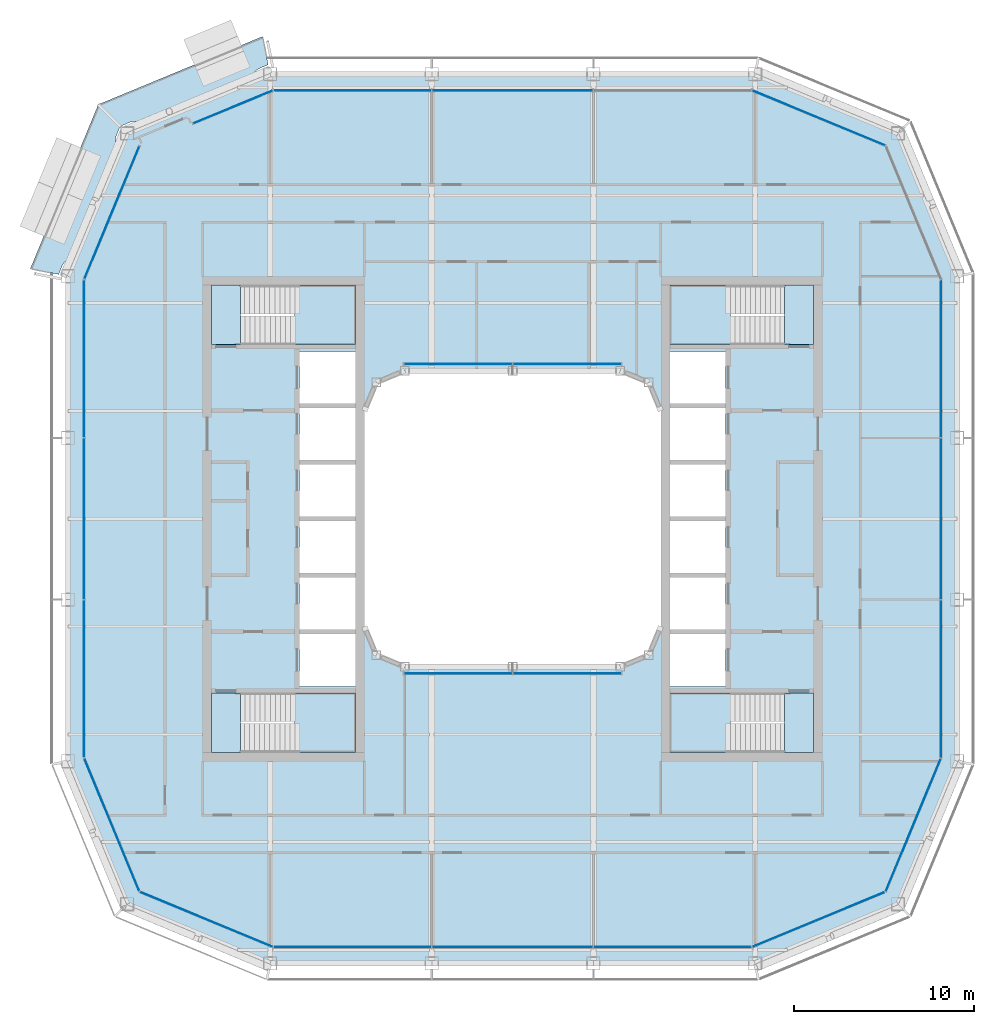
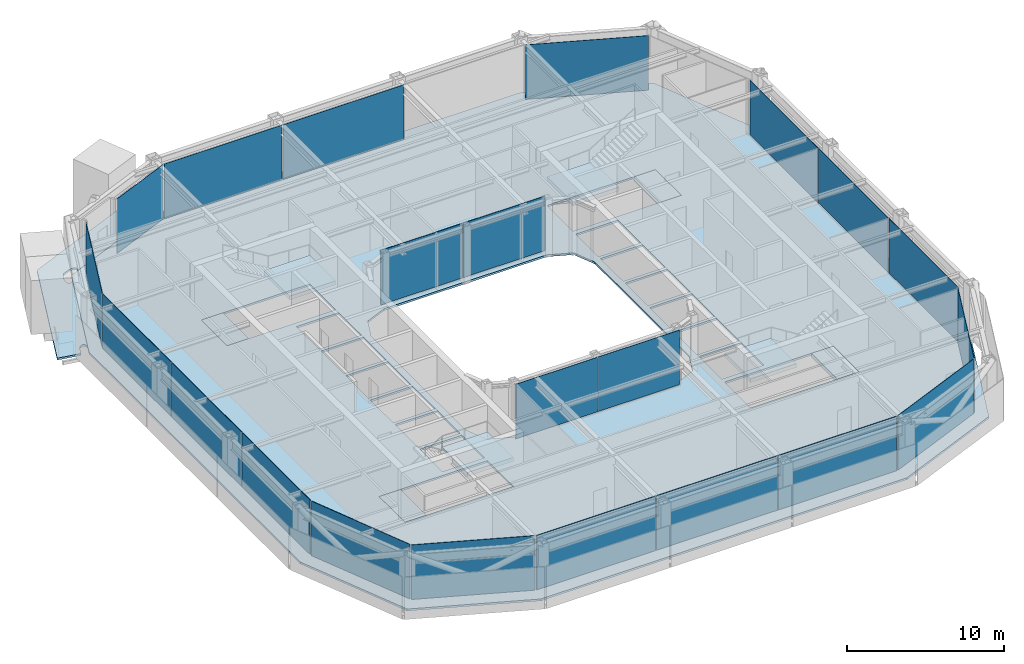
# One storey, part 10 of 21: 22 plates, 10 slabs, 17 elements without a shape of their own.
"""IFC4 building model written with IfcOpenShell, lengths in metres."""

from ifc_helpers import new_model, si_unit, direction, frame, origin, origin_2d, place, context, subcontext, project, spatial, polyline, rectangle, outline, extrude, material, layer, layer_set, type_object, element, aggregate, save


model = new_model("IFC4")

# Units and contexts
model_context = context("Model", 3, precision=1e-05, world=origin(), true_north=direction((0.0, 1.0)))
body_context = subcontext(model_context, "Body", "Model", "MODEL_VIEW")
ifc_project = project(units=[si_unit("LENGTHUNIT", "METRE"), si_unit("AREAUNIT", "SQUARE_METRE"), si_unit("VOLUMEUNIT", "CUBIC_METRE"), si_unit("PLANEANGLEUNIT", "RADIAN"), si_unit("MASSUNIT", "GRAM", prefix="KILO")], contexts=[model_context])

# Site, building, storey
site_placement = place(None, origin())
site = spatial("IfcSite", under=ifc_project, at=site_placement, CompositionType="ELEMENT")
building_placement = place(site_placement, origin())
building = spatial("IfcBuilding", under=site, at=building_placement, Name="Siwar Civic Tower", CompositionType="ELEMENT")
storey_placement = place(building_placement, frame((0.0, 0.0, 294.199951171875)))
storey = spatial("IfcBuildingStorey", under=building, at=storey_placement, Name="L63", CompositionType="ELEMENT", Elevation=294.199951171875)

# Stair, slabs
ifc_material_1 = material(Name="Concrete C40/50", Category="concrete")
stair_type = type_object("IfcStairType", Name="CORE-STAIR", PredefinedType="TWO_STRAIGHT_RUN_STAIR", material=ifc_material_1)
stair_1_placement = place(storey_placement, origin())
stair_1 = element("IfcStair", 1, at=stair_1_placement, inside=storey, type_object=stair_type, Name="Exit stair ST1", PredefinedType="TWO_STRAIGHT_RUN_STAIR")
ifc_material_2 = material(Name="Concrete C40/50", Category="concrete")
ifc_layer_1 = layer(ifc_material_2, 0.300048828125)
ifc_layer_set_1 = layer_set([ifc_layer_1], Name="Concrete C40/50")
slab_type_1 = type_object("IfcSlabType", Name="CORE-STAIR-LANDING", PredefinedType="LANDING", material=ifc_layer_set_1)
slab_1_placement = place(storey_placement, frame((0.0, 0.0, -0.300048828125)))
slab_1 = element("IfcSlab", 2, at=slab_1_placement, type_object=slab_type_1, Name="ST1 landing 1", PredefinedType="LANDING", context=body_context, shape_type="SweptSolid", body=[
    extrude(outline(polyline([(-15.14990234375, 13.0), (-16.75, 13.0), (-16.75, 9.699951171875), (-15.14990234375, 9.699951171875), (-15.14990234375, 13.0)])), origin(), (0.0, 0.0, 1.0), 0.300048828125),
])
slab_2_placement = place(storey_placement, frame((0.0, 0.0, 1.949951171875)))
slab_2 = element("IfcSlab", 3, at=slab_2_placement, type_object=slab_type_1, Name="ST1 landing 2", PredefinedType="LANDING", context=body_context, shape_type="SweptSolid", body=[
    extrude(outline(polyline([(-8.75, 13.0), (-12.139892578125, 13.0), (-12.139892578125, 9.699951171875), (-8.75, 9.699951171875), (-8.75, 13.0)])), origin(), (0.0, 0.0, 1.0), 0.300048828125),
])
aggregate(stair_1, [slab_1, slab_2])

stair_2_placement = place(storey_placement, origin())
stair_2 = element("IfcStair", 4, at=stair_2_placement, inside=storey, type_object=stair_type, Name="Exit stair ST2", PredefinedType="TWO_STRAIGHT_RUN_STAIR")
slab_3_placement = place(storey_placement, frame((0.0, 0.0, -0.300048828125)))
slab_3 = element("IfcSlab", 5, at=slab_3_placement, type_object=slab_type_1, Name="ST2 landing 1", PredefinedType="LANDING", context=body_context, shape_type="SweptSolid", body=[
    extrude(outline(polyline([(-15.14990234375, -9.699951171875), (-16.75, -9.699951171875), (-16.75, -13.0), (-15.14990234375, -13.0), (-15.14990234375, -9.699951171875)])), origin(), (0.0, 0.0, 1.0), 0.300048828125),
])
slab_4_placement = place(storey_placement, frame((0.0, 0.0, 1.949951171875)))
slab_4 = element("IfcSlab", 6, at=slab_4_placement, type_object=slab_type_1, Name="ST2 landing 2", PredefinedType="LANDING", context=body_context, shape_type="SweptSolid", body=[
    extrude(outline(polyline([(-8.75, -9.699951171875), (-12.139892578125, -9.699951171875), (-12.139892578125, -13.0), (-8.75, -13.0), (-8.75, -9.699951171875)])), origin(), (0.0, 0.0, 1.0), 0.300048828125),
])
aggregate(stair_2, [slab_3, slab_4])

stair_3_placement = place(storey_placement, origin())
stair_3 = element("IfcStair", 7, at=stair_3_placement, inside=storey, type_object=stair_type, Name="Exit stair ST3", PredefinedType="TWO_STRAIGHT_RUN_STAIR")
slab_5_placement = place(storey_placement, frame((0.0, 0.0, -0.300048828125)))
slab_5 = element("IfcSlab", 8, at=slab_5_placement, type_object=slab_type_1, Name="ST3 landing 1", PredefinedType="LANDING", context=body_context, shape_type="SweptSolid", body=[
    extrude(outline(polyline([(15.14990234375, 9.699951171875), (16.75, 9.699951171875), (16.75, 13.0), (15.14990234375, 13.0), (15.14990234375, 9.699951171875)])), origin(), (0.0, 0.0, 1.0), 0.300048828125),
])
slab_6_placement = place(storey_placement, frame((0.0, 0.0, 1.949951171875)))
slab_6 = element("IfcSlab", 9, at=slab_6_placement, type_object=slab_type_1, Name="ST3 landing 2", PredefinedType="LANDING", context=body_context, shape_type="SweptSolid", body=[
    extrude(outline(polyline([(8.75, 9.699951171875), (12.139892578125, 9.699951171875), (12.139892578125, 13.0), (8.75, 13.0), (8.75, 9.699951171875)])), origin(), (0.0, 0.0, 1.0), 0.300048828125),
])
aggregate(stair_3, [slab_5, slab_6])

stair_4_placement = place(storey_placement, origin())
stair_4 = element("IfcStair", 10, at=stair_4_placement, inside=storey, type_object=stair_type, Name="Exit stair ST4", PredefinedType="TWO_STRAIGHT_RUN_STAIR")
slab_7_placement = place(storey_placement, frame((0.0, 0.0, -0.300048828125)))
slab_7 = element("IfcSlab", 11, at=slab_7_placement, type_object=slab_type_1, Name="ST4 landing 1", PredefinedType="LANDING", context=body_context, shape_type="SweptSolid", body=[
    extrude(outline(polyline([(15.14990234375, -13.0), (16.75, -13.0), (16.75, -9.699951171875), (15.14990234375, -9.699951171875), (15.14990234375, -13.0)])), origin(), (0.0, 0.0, 1.0), 0.300048828125),
])
slab_8_placement = place(storey_placement, frame((0.0, 0.0, 1.949951171875)))
slab_8 = element("IfcSlab", 12, at=slab_8_placement, type_object=slab_type_1, Name="ST4 landing 2", PredefinedType="LANDING", context=body_context, shape_type="SweptSolid", body=[
    extrude(outline(polyline([(8.75, -13.0), (12.139892578125, -13.0), (12.139892578125, -9.699951171875), (8.75, -9.699951171875), (8.75, -13.0)])), origin(), (0.0, 0.0, 1.0), 0.300048828125),
])
aggregate(stair_4, [slab_7, slab_8])

# Slab
ifc_material_3 = material(Name="Concrete C40/50", Category="concrete")
ifc_layer_2 = layer(ifc_material_3, 0.14990234375)
ifc_layer_set_2 = layer_set([ifc_layer_2], Name="Concrete C40/50")
slab_type_2 = type_object("IfcSlabType", Name="ENV-BALCONY DECK 150", PredefinedType="FLOOR", material=ifc_layer_set_2)
slab_9_placement = place(storey_placement, frame((0.0, 0.0, -0.1494140625)))
element("IfcSlab", 13, at=slab_9_placement, inside=storey, type_object=slab_type_2, Name="Tree balcony deck NW", PredefinedType="FLOOR", context=body_context, shape_type="SweptSolid", body=[
    extrude(outline(polyline([(-21.743896484375, 21.88623046875), (-21.738525390625, 21.888671875), (-21.738525390625, 21.888671875), (-21.72216796875, 21.8955078125), (-21.5908203125, 21.949951171875), (-21.43505859375, 22.014892578125), (-21.3857421875, 22.035400390625), (-21.369384765625, 22.042236328125), (-21.367431640625, 22.04296875), (-21.306396484375, 22.06640625), (-21.3017578125, 22.068115234375), (-21.247802734375, 22.0849609375), (-21.243408203125, 22.086181640625), (-21.1884765625, 22.099853515625), (-21.181396484375, 22.101318359375), (-21.134033203125, 22.108154296875), (-21.1328125, 22.1083984375), (-21.07666015625, 22.11572265625), (-21.070068359375, 22.1162109375), (-21.0634765625, 22.1162109375), (-20.975830078125, 22.112060546875), (-20.965087890625, 22.11083984375), (-20.92578125, 22.103271484375), (-20.91796875, 22.101318359375), (-20.910400390625, 22.0986328125), (-20.8798828125, 22.08544921875), (-20.875732421875, 22.08349609375), (-20.84619140625, 22.068603515625), (-20.839599609375, 22.06494140625), (-20.833251953125, 22.060546875), (-20.82763671875, 22.055419921875), (-20.80712890625, 22.03564453125), (-20.802490234375, 22.030517578125), (-20.798095703125, 22.02490234375), (-20.794189453125, 22.01904296875), (-20.791015625, 22.0126953125), (-20.780029296875, 21.988525390625), (-20.7783203125, 21.984375), (-20.76904296875, 21.959716796875), (-20.7666015625, 21.952880859375), (-20.76513671875, 21.946044921875), (-20.76416015625, 21.93896484375), (-20.763916015625, 21.931884765625), (-20.764404296875, 21.903564453125), (-20.764892578125, 21.89599609375), (-20.76611328125, 21.888427734375), (-20.76806640625, 21.881103515625), (-20.778564453125, 21.849609375), (-20.780029296875, 21.845458984375), (-20.792236328125, 21.814453125), (-20.795654296875, 21.80712890625), (-20.7998046875, 21.800048828125), (-20.822021484375, 21.766845703125), (-20.82861328125, 21.758544921875), (-20.887451171875, 21.693359375), (-20.89208984375, 21.688720703125), (-20.8935546875, 21.6875), (-14.063720703125, 24.516357421875), (-14.103759765625, 24.51123046875), (-14.1103515625, 24.5107421875), (-14.116943359375, 24.5107421875), (-14.20458984375, 24.514892578125), (-14.21533203125, 24.51611328125), (-14.254638671875, 24.523681640625), (-14.262451171875, 24.525634765625), (-14.27001953125, 24.5283203125), (-14.300537109375, 24.54150390625), (-14.3046875, 24.54345703125), (-14.33447265625, 24.558349609375), (-14.341064453125, 24.56201171875), (-14.34716796875, 24.56640625), (-14.352783203125, 24.571533203125), (-14.373291015625, 24.591064453125), (-14.378173828125, 24.596435546875), (-14.382568359375, 24.601806640625), (-14.38623046875, 24.60791015625), (-14.389404296875, 24.6142578125), (-14.400390625, 24.638427734375), (-14.402099609375, 24.642578125), (-14.41162109375, 24.667236328125), (-14.413818359375, 24.674072265625), (-14.415283203125, 24.680908203125), (-14.416259765625, 24.68798828125), (-14.41650390625, 24.695068359375), (-14.416015625, 24.723388671875), (-14.41552734375, 24.73095703125), (-14.414306640625, 24.738525390625), (-14.412353515625, 24.745849609375), (-14.402099609375, 24.77734375), (-14.400634765625, 24.781494140625), (-14.388427734375, 24.8125), (-14.385009765625, 24.81982421875), (-14.380859375, 24.82666015625), (-14.3583984375, 24.860107421875), (-14.351806640625, 24.868408203125), (-14.29296875, 24.93359375), (-14.288330078125, 24.938232421875), (-14.283203125, 24.942626953125), (-14.238525390625, 24.977294921875), (-14.237548828125, 24.97802734375), (-14.19921875, 25.006591796875), (-14.193115234375, 25.0107421875), (-14.144775390625, 25.0400390625), (-14.140869140625, 25.042236328125), (-14.0908203125, 25.068603515625), (-14.08642578125, 25.07080078125), (-14.02685546875, 25.09765625), (-14.02490234375, 25.098388671875), (-14.0166015625, 25.101806640625), (-13.9755859375, 25.118896484375), (-13.795166015625, 25.194091796875), (-13.713134765625, 25.22802734375), (-13.68017578125, 25.24169921875), (-13.65576171875, 25.251953125), (-13.65576171875, 25.251953125), (-13.65576171875, 25.251953125), (-13.65576171875, 25.251953125), (-13.65576171875, 25.251953125), (-13.64794921875, 25.2548828125), (-13.632568359375, 25.25927734375), (-13.625, 25.260986328125), (-13.616943359375, 25.26220703125), (-13.60205078125, 25.26318359375), (-13.917724609375, 26.85009765625), (-23.062255859375, 23.062255859375), (-26.85009765625, 13.917724609375), (-25.2607421875, 13.6015625), (-25.2607421875, 13.61376953125), (-25.2607421875, 13.620361328125), (-25.259765625, 13.627197265625), (-25.258544921875, 13.6337890625), (-25.25537109375, 13.6455078125), (-25.251953125, 13.65576171875), (-25.24169921875, 13.68017578125), (-25.22802734375, 13.713134765625), (-25.194091796875, 13.795166015625), (-25.118896484375, 13.9755859375), (-25.101806640625, 14.0166015625), (-25.098388671875, 14.02490234375), (-25.09765625, 14.02685546875), (-25.07080078125, 14.08642578125), (-25.068603515625, 14.0908203125), (-25.042236328125, 14.140869140625), (-25.0400390625, 14.144775390625), (-25.0107421875, 14.193115234375), (-25.006591796875, 14.19921875), (-24.97802734375, 14.237548828125), (-24.977294921875, 14.238525390625), (-24.942626953125, 14.283203125), (-24.938232421875, 14.288330078125), (-24.93359375, 14.29296875), (-24.868408203125, 14.351806640625), (-24.860107421875, 14.3583984375), (-24.82666015625, 14.380859375), (-24.81982421875, 14.385009765625), (-24.8125, 14.388427734375), (-24.781494140625, 14.400634765625), (-24.77734375, 14.402099609375), (-24.745849609375, 14.412353515625), (-24.738525390625, 14.414306640625), (-24.73095703125, 14.41552734375), (-24.723388671875, 14.416015625), (-24.695068359375, 14.41650390625), (-24.68798828125, 14.416259765625), (-24.680908203125, 14.415283203125), (-24.674072265625, 14.413818359375), (-24.667236328125, 14.41162109375), (-24.642578125, 14.402099609375), (-24.638427734375, 14.400390625), (-24.6142578125, 14.389404296875), (-24.60791015625, 14.38623046875), (-24.601806640625, 14.382568359375), (-24.596435546875, 14.378173828125), (-24.591064453125, 14.373291015625), (-24.571533203125, 14.352783203125), (-24.56640625, 14.34716796875), (-24.56201171875, 14.341064453125), (-24.558349609375, 14.33447265625), (-24.54345703125, 14.3046875), (-24.54150390625, 14.300537109375), (-24.5283203125, 14.27001953125), (-24.525634765625, 14.262451171875), (-24.523681640625, 14.254638671875), (-24.51611328125, 14.21533203125), (-24.514892578125, 14.20458984375), (-24.5107421875, 14.116943359375), (-24.5107421875, 14.1103515625), (-24.51123046875, 14.103759765625), (-24.516357421875, 14.063720703125), (-21.6875, 20.8935546875), (-21.688720703125, 20.89208984375), (-21.693359375, 20.887451171875), (-21.758544921875, 20.82861328125), (-21.766845703125, 20.822021484375), (-21.800048828125, 20.7998046875), (-21.80712890625, 20.795654296875), (-21.814453125, 20.792236328125), (-21.845458984375, 20.780029296875), (-21.849609375, 20.778564453125), (-21.881103515625, 20.76806640625), (-21.888427734375, 20.76611328125), (-21.89599609375, 20.764892578125), (-21.903564453125, 20.764404296875), (-21.931884765625, 20.763916015625), (-21.93896484375, 20.76416015625), (-21.946044921875, 20.76513671875), (-21.952880859375, 20.7666015625), (-21.959716796875, 20.76904296875), (-21.984375, 20.7783203125), (-21.988525390625, 20.780029296875), (-22.0126953125, 20.791015625), (-22.01904296875, 20.794189453125), (-22.02490234375, 20.798095703125), (-22.030517578125, 20.802490234375), (-22.03564453125, 20.80712890625), (-22.055419921875, 20.82763671875), (-22.060546875, 20.833251953125), (-22.06494140625, 20.839599609375), (-22.068603515625, 20.84619140625), (-22.08349609375, 20.875732421875), (-22.08544921875, 20.8798828125), (-22.0986328125, 20.910400390625), (-22.101318359375, 20.91796875), (-22.103271484375, 20.92578125), (-22.11083984375, 20.965087890625), (-22.112060546875, 20.975830078125), (-22.1162109375, 21.0634765625), (-22.1162109375, 21.070068359375), (-22.11572265625, 21.07666015625), (-22.1083984375, 21.1328125), (-22.108154296875, 21.134033203125), (-22.101318359375, 21.181396484375), (-22.099853515625, 21.1884765625), (-22.086181640625, 21.243408203125), (-22.0849609375, 21.247802734375), (-22.068115234375, 21.3017578125), (-22.06640625, 21.306396484375), (-22.04296875, 21.367431640625), (-22.042236328125, 21.369384765625), (-22.035400390625, 21.3857421875), (-22.014892578125, 21.43505859375), (-21.949951171875, 21.5908203125), (-21.922607421875, 21.656494140625), (-21.8955078125, 21.72216796875), (-21.888671875, 21.738525390625), (-21.8837890625, 21.748046875), (-21.87744140625, 21.7587890625), (-21.873779296875, 21.76416015625), (-21.86962890625, 21.76953125), (-21.864990234375, 21.7744140625), (-21.855712890625, 21.783447265625), (-21.850341796875, 21.7880859375), (-21.849609375, 21.78857421875), (-21.84912109375, 21.7890625), (-21.848876953125, 21.7890625), (-21.8466796875, 21.794189453125), (-21.84326171875, 21.800537109375), (-21.839111328125, 21.806396484375), (-21.829833984375, 21.818359375), (-21.829833984375, 21.829833984375), (-21.820556640625, 21.829833984375), (-21.817626953125, 21.833251953125), (-21.801025390625, 21.849365234375), (-21.796875, 21.85302734375), (-21.79248046875, 21.856689453125), (-21.77392578125, 21.869873046875), (-21.76904296875, 21.873046875), (-21.76416015625, 21.875732421875), (-21.743896484375, 21.88623046875)])), origin(), (0.0, 0.0, 1.0), 0.1494140625),
])

# Curtain wall, plates
ifc_material_4 = material(Name="Aluminium and glass", Category="aluminium")
ifc_layer_3 = layer(ifc_material_4, 0.159912109375)
ifc_layer_set_3 = layer_set([ifc_layer_3], Name="Aluminium and glass")
curtain_wall_type_1 = type_object("IfcCurtainWallType", Name="ENV-CW-D", PredefinedType="NOTDEFINED", material=ifc_layer_set_3)
curtain_wall_1_placement = place(storey_placement, origin())
curtain_wall_1 = element("IfcCurtainWall", 14, at=curtain_wall_1_placement, inside=storey, type_object=curtain_wall_type_1, Name="Curtain wall D S", PredefinedType="NOTDEFINED")
ifc_material_5 = material(Name="Glass clear laminated", Category="glass")
ifc_layer_4 = layer(ifc_material_5, 0.030029296875)
ifc_layer_set_4 = layer_set([ifc_layer_4], Name="Glass clear laminated")
plate_type_1 = type_object("IfcPlateType", Name="ENV-PANEL-D", PredefinedType="CURTAIN_PANEL", material=ifc_layer_set_4)
plate_1_placement = place(storey_placement, frame((-8.910400390625, -23.85009765625, 0.10009765625), z_axis=(0.0, 0.0, 1.0), x_axis=(1.0, 0.0, 0.0)))
plate_1 = element("IfcPlate", 15, at=plate_1_placement, type_object=plate_type_1, Name="Curtain panel D S 1", PredefinedType="CURTAIN_PANEL", context=body_context, shape_type="SweptSolid", body=[
    extrude(rectangle(XDim=8.760986328125, YDim=0.030029296875, at=origin_2d()), origin(), (0.0, 0.0, 1.0), 4.25),
])
plate_2_placement = place(storey_placement, frame((0.0, -23.85009765625, 0.10009765625), z_axis=(0.0, 0.0, 1.0), x_axis=(1.0, 0.0, 0.0)))
plate_2 = element("IfcPlate", 16, at=plate_2_placement, type_object=plate_type_1, Name="Curtain panel D S 2", PredefinedType="CURTAIN_PANEL", context=body_context, shape_type="SweptSolid", body=[
    extrude(rectangle(XDim=8.93994140625, YDim=0.030029296875, at=origin_2d()), origin(), (0.0, 0.0, 1.0), 4.25),
])
plate_3_placement = place(storey_placement, frame((8.876708984375, -23.85009765625, 0.10009765625), z_axis=(0.0, 0.0, 1.0), x_axis=(1.0, 0.0, 0.0)))
plate_3 = element("IfcPlate", 17, at=plate_3_placement, type_object=plate_type_1, Name="Curtain panel D S 3", PredefinedType="CURTAIN_PANEL", context=body_context, shape_type="SweptSolid", body=[
    extrude(rectangle(XDim=8.693115234375, YDim=0.030029296875, at=origin_2d()), origin(), (0.0, 0.0, 1.0), 4.25),
])
aggregate(curtain_wall_1, [plate_1, plate_2, plate_3])

curtain_wall_2_placement = place(storey_placement, origin())
curtain_wall_2 = element("IfcCurtainWall", 18, at=curtain_wall_2_placement, inside=storey, type_object=curtain_wall_type_1, Name="Curtain wall D E", PredefinedType="NOTDEFINED")
plate_4_placement = place(storey_placement, frame((23.85009765625, -8.910400390625, 0.10009765625), z_axis=(0.0, 0.0, 1.0), x_axis=(0.0, 1.0, 0.0)))
plate_4 = element("IfcPlate", 19, at=plate_4_placement, type_object=plate_type_1, Name="Curtain panel D E 1", PredefinedType="CURTAIN_PANEL", context=body_context, shape_type="SweptSolid", body=[
    extrude(rectangle(XDim=8.760986328125, YDim=0.030029296875, at=origin_2d()), origin(), (0.0, 0.0, 1.0), 4.25),
])
plate_5_placement = place(storey_placement, frame((23.85009765625, 0.0, 0.10009765625), z_axis=(0.0, 0.0, 1.0), x_axis=(0.0, 1.0, 0.0)))
plate_5 = element("IfcPlate", 20, at=plate_5_placement, type_object=plate_type_1, Name="Curtain panel D E 2", PredefinedType="CURTAIN_PANEL", context=body_context, shape_type="SweptSolid", body=[
    extrude(rectangle(XDim=8.93994140625, YDim=0.030029296875, at=origin_2d()), origin(), (0.0, 0.0, 1.0), 4.25),
])
plate_6_placement = place(storey_placement, frame((23.85009765625, 8.876708984375, 0.10009765625), z_axis=(0.0, 0.0, 1.0), x_axis=(0.0, 1.0, 0.0)))
plate_6 = element("IfcPlate", 21, at=plate_6_placement, type_object=plate_type_1, Name="Curtain panel D E 3", PredefinedType="CURTAIN_PANEL", context=body_context, shape_type="SweptSolid", body=[
    extrude(rectangle(XDim=8.693115234375, YDim=0.030029296875, at=origin_2d()), origin(), (0.0, 0.0, 1.0), 4.25),
])
aggregate(curtain_wall_2, [plate_4, plate_5, plate_6])

curtain_wall_3_placement = place(storey_placement, origin())
curtain_wall_3 = element("IfcCurtainWall", 22, at=curtain_wall_3_placement, inside=storey, type_object=curtain_wall_type_1, Name="Curtain wall D N", PredefinedType="NOTDEFINED")
plate_7_placement = place(storey_placement, frame((0.0, 23.85009765625, 0.10009765625), z_axis=(0.0, 0.0, 1.0), x_axis=(-1.0, 0.0, 0.0)))
plate_7 = element("IfcPlate", 23, at=plate_7_placement, type_object=plate_type_1, Name="Curtain panel D N 2", PredefinedType="CURTAIN_PANEL", context=body_context, shape_type="SweptSolid", body=[
    extrude(rectangle(XDim=8.93994140625, YDim=0.030029296875, at=origin_2d()), origin(), (0.0, 0.0, 1.0), 4.25),
])
plate_8_placement = place(storey_placement, frame((-8.876708984375, 23.85009765625, 0.10009765625), z_axis=(0.0, 0.0, 1.0), x_axis=(-1.0, 0.0, 0.0)))
plate_8 = element("IfcPlate", 24, at=plate_8_placement, type_object=plate_type_1, Name="Curtain panel D N 3", PredefinedType="CURTAIN_PANEL", context=body_context, shape_type="SweptSolid", body=[
    extrude(rectangle(XDim=8.693115234375, YDim=0.030029296875, at=origin_2d()), origin(), (0.0, 0.0, 1.0), 4.25),
])
aggregate(curtain_wall_3, [plate_7, plate_8])

curtain_wall_4_placement = place(storey_placement, origin())
curtain_wall_4 = element("IfcCurtainWall", 25, at=curtain_wall_4_placement, inside=storey, type_object=curtain_wall_type_1, Name="Curtain wall D W", PredefinedType="NOTDEFINED")
plate_9_placement = place(storey_placement, frame((-23.85009765625, 8.910400390625, 0.10009765625), z_axis=(0.0, 0.0, 1.0), x_axis=(0.0, -1.0, 0.0)))
plate_9 = element("IfcPlate", 26, at=plate_9_placement, type_object=plate_type_1, Name="Curtain panel D W 1", PredefinedType="CURTAIN_PANEL", context=body_context, shape_type="SweptSolid", body=[
    extrude(rectangle(XDim=8.760986328125, YDim=0.030029296875, at=origin_2d()), origin(), (0.0, 0.0, 1.0), 4.25),
])
plate_10_placement = place(storey_placement, frame((-23.85009765625, 0.0, 0.10009765625), z_axis=(0.0, 0.0, 1.0), x_axis=(0.0, -1.0, 0.0)))
plate_10 = element("IfcPlate", 27, at=plate_10_placement, type_object=plate_type_1, Name="Curtain panel D W 2", PredefinedType="CURTAIN_PANEL", context=body_context, shape_type="SweptSolid", body=[
    extrude(rectangle(XDim=8.93994140625, YDim=0.030029296875, at=origin_2d()), origin(), (0.0, 0.0, 1.0), 4.25),
])
plate_11_placement = place(storey_placement, frame((-23.85009765625, -8.876708984375, 0.10009765625), z_axis=(0.0, 0.0, 1.0), x_axis=(0.0, -1.0, 0.0)))
plate_11 = element("IfcPlate", 28, at=plate_11_placement, type_object=plate_type_1, Name="Curtain panel D W 3", PredefinedType="CURTAIN_PANEL", context=body_context, shape_type="SweptSolid", body=[
    extrude(rectangle(XDim=8.693115234375, YDim=0.030029296875, at=origin_2d()), origin(), (0.0, 0.0, 1.0), 4.25),
])
aggregate(curtain_wall_4, [plate_9, plate_10, plate_11])

# Curtain wall, plate
ifc_material_6 = material(Name="Aluminium clad insulated panel", Category="aluminium")
ifc_layer_5 = layer(ifc_material_6, 0.159912109375)
ifc_layer_set_5 = layer_set([ifc_layer_5], Name="Aluminium clad insulated panel")
curtain_wall_type_2 = type_object("IfcCurtainWallType", Name="ENV-CW-DX", PredefinedType="NOTDEFINED", material=ifc_layer_set_5)
curtain_wall_5_placement = place(storey_placement, origin())
curtain_wall_5 = element("IfcCurtainWall", 29, at=curtain_wall_5_placement, inside=storey, type_object=curtain_wall_type_2, Name="Curtain wall D SE1", PredefinedType="NOTDEFINED")
ifc_material_7 = material(Name="Aluminium clad insulated panel", Category="aluminium")
ifc_layer_6 = layer(ifc_material_7, 0.030029296875)
ifc_layer_set_6 = layer_set([ifc_layer_6], Name="Aluminium clad insulated panel")
plate_type_2 = type_object("IfcPlateType", Name="ENV-PANEL-DX", PredefinedType="CURTAIN_PANEL", material=ifc_layer_set_6)
plate_12_placement = place(storey_placement, frame((17.01220703125, -22.321044921875, 0.10009765625), z_axis=(0.0, 0.0, 1.0), x_axis=(0.923879532511, 0.382683432365, 0.0)))
plate_12 = element("IfcPlate", 30, at=plate_12_placement, type_object=plate_type_2, Name="Curtain panel D SE1 1", PredefinedType="CURTAIN_PANEL", context=body_context, shape_type="SweptSolid", body=[
    extrude(rectangle(XDim=7.9306640625, YDim=0.030029296875, at=origin_2d()), origin(), (0.0, 0.0, 1.0), 4.25),
])
aggregate(curtain_wall_5, [plate_12])

curtain_wall_6_placement = place(storey_placement, origin())
curtain_wall_6 = element("IfcCurtainWall", 31, at=curtain_wall_6_placement, inside=storey, type_object=curtain_wall_type_2, Name="Curtain wall D SE2", PredefinedType="NOTDEFINED")
plate_13_placement = place(storey_placement, frame((22.295166015625, -17.074951171875, 0.10009765625), z_axis=(0.0, 0.0, 1.0), x_axis=(0.382683432365, 0.923879532511, 0.0)))
plate_13 = element("IfcPlate", 32, at=plate_13_placement, type_object=plate_type_2, Name="Curtain panel D SE2 1", PredefinedType="CURTAIN_PANEL", context=body_context, shape_type="SweptSolid", body=[
    extrude(rectangle(XDim=7.9306640625, YDim=0.030029296875, at=origin_2d()), origin(), (0.0, 0.0, 1.0), 4.25),
])
aggregate(curtain_wall_6, [plate_13])

curtain_wall_7_placement = place(storey_placement, origin())
curtain_wall_7 = element("IfcCurtainWall", 33, at=curtain_wall_7_placement, inside=storey, type_object=curtain_wall_type_2, Name="Curtain wall D NE2", PredefinedType="NOTDEFINED")
plate_14_placement = place(storey_placement, frame((17.074951171875, 22.295166015625, 0.10009765625), z_axis=(0.0, 0.0, 1.0), x_axis=(-0.923879532511, 0.382683432365, 0.0)))
plate_14 = element("IfcPlate", 34, at=plate_14_placement, type_object=plate_type_2, Name="Curtain panel D NE2 1", PredefinedType="CURTAIN_PANEL", context=body_context, shape_type="SweptSolid", body=[
    extrude(rectangle(XDim=7.9306640625, YDim=0.030029296875, at=origin_2d()), origin(), (0.0, 0.0, 1.0), 4.25),
])
aggregate(curtain_wall_7, [plate_14])

curtain_wall_8_placement = place(storey_placement, origin())
curtain_wall_8 = element("IfcCurtainWall", 35, at=curtain_wall_8_placement, inside=storey, type_object=curtain_wall_type_2, Name="Curtain wall D NW1", PredefinedType="NOTDEFINED")
plate_15_placement = place(storey_placement, frame((-15.56005859375, 22.922607421875, 0.10009765625), z_axis=(0.0, 0.0, 1.0), x_axis=(-0.923879532511, -0.382683432365, 0.0)))
plate_15 = element("IfcPlate", 36, at=plate_15_placement, type_object=plate_type_2, Name="Curtain panel D NW1 1", PredefinedType="CURTAIN_PANEL", context=body_context, shape_type="SweptSolid", body=[
    extrude(rectangle(XDim=4.787109375, YDim=0.030029296875, at=origin_2d()), origin(), (0.0, 0.0, 1.0), 4.25),
])
aggregate(curtain_wall_8, [plate_15])

curtain_wall_9_placement = place(storey_placement, origin())
curtain_wall_9 = element("IfcCurtainWall", 37, at=curtain_wall_9_placement, inside=storey, type_object=curtain_wall_type_2, Name="Curtain wall D NW2", PredefinedType="NOTDEFINED")
plate_16_placement = place(storey_placement, frame((-22.295166015625, 17.074951171875, 0.10009765625), z_axis=(0.0, 0.0, 1.0), x_axis=(-0.382683432365, -0.923879532511, 0.0)))
plate_16 = element("IfcPlate", 38, at=plate_16_placement, type_object=plate_type_2, Name="Curtain panel D NW2 1", PredefinedType="CURTAIN_PANEL", context=body_context, shape_type="SweptSolid", body=[
    extrude(rectangle(XDim=7.9306640625, YDim=0.030029296875, at=origin_2d()), origin(), (0.0, 0.0, 1.0), 4.25),
])
aggregate(curtain_wall_9, [plate_16])

curtain_wall_10_placement = place(storey_placement, origin())
curtain_wall_10 = element("IfcCurtainWall", 39, at=curtain_wall_10_placement, inside=storey, type_object=curtain_wall_type_2, Name="Curtain wall D SW1", PredefinedType="NOTDEFINED")
plate_17_placement = place(storey_placement, frame((-22.321044921875, -17.01220703125, 0.10009765625), z_axis=(0.0, 0.0, 1.0), x_axis=(0.382683432365, -0.923879532511, 0.0)))
plate_17 = element("IfcPlate", 40, at=plate_17_placement, type_object=plate_type_2, Name="Curtain panel D SW1 1", PredefinedType="CURTAIN_PANEL", context=body_context, shape_type="SweptSolid", body=[
    extrude(rectangle(XDim=7.9306640625, YDim=0.030029296875, at=origin_2d()), origin(), (0.0, 0.0, 1.0), 4.25),
])
aggregate(curtain_wall_10, [plate_17])

curtain_wall_11_placement = place(storey_placement, origin())
curtain_wall_11 = element("IfcCurtainWall", 41, at=curtain_wall_11_placement, inside=storey, type_object=curtain_wall_type_2, Name="Curtain wall D SW2", PredefinedType="NOTDEFINED")
plate_18_placement = place(storey_placement, frame((-17.074951171875, -22.295166015625, 0.10009765625), z_axis=(0.0, 0.0, 1.0), x_axis=(0.923879532511, -0.382683432365, 0.0)))
plate_18 = element("IfcPlate", 42, at=plate_18_placement, type_object=plate_type_2, Name="Curtain panel D SW2 1", PredefinedType="CURTAIN_PANEL", context=body_context, shape_type="SweptSolid", body=[
    extrude(rectangle(XDim=7.9306640625, YDim=0.030029296875, at=origin_2d()), origin(), (0.0, 0.0, 1.0), 4.25),
])
aggregate(curtain_wall_11, [plate_18])

# Curtain wall, plates
ifc_material_8 = material(Name="Aluminium and glass", Category="aluminium")
ifc_layer_7 = layer(ifc_material_8, 0.179931640625)
ifc_layer_set_7 = layer_set([ifc_layer_7], Name="Aluminium and glass")
curtain_wall_type_3 = type_object("IfcCurtainWallType", Name="ENV-CW-W", PredefinedType="NOTDEFINED", material=ifc_layer_set_7)
curtain_wall_12_placement = place(storey_placement, origin())
curtain_wall_12 = element("IfcCurtainWall", 43, at=curtain_wall_12_placement, inside=storey, type_object=curtain_wall_type_3, Name="Curtain wall W WS", PredefinedType="NOTDEFINED")
ifc_material_9 = material(Name="Glass clear laminated", Category="glass")
ifc_layer_8 = layer(ifc_material_9, 0.031982421875)
ifc_layer_set_8 = layer_set([ifc_layer_8], Name="Glass clear laminated")
plate_type_3 = type_object("IfcPlateType", Name="ENV-PANEL-W", PredefinedType="CURTAIN_PANEL", material=ifc_layer_set_8)
plate_19_placement = place(storey_placement, frame((-3.035888671875, -8.610107421875, 0.10009765625), z_axis=(0.0, 0.0, 1.0), x_axis=(1.0, 0.0, 0.0)))
plate_19 = element("IfcPlate", 44, at=plate_19_placement, type_object=plate_type_3, Name="Curtain panel W WS 1", PredefinedType="CURTAIN_PANEL", context=body_context, shape_type="SweptSolid", body=[
    extrude(rectangle(XDim=6.01171875, YDim=0.031982421875, at=origin_2d()), origin(), (0.0, 0.0, 1.0), 4.25),
])
plate_20_placement = place(storey_placement, frame((3.035888671875, -8.610107421875, 0.10009765625), z_axis=(0.0, 0.0, 1.0), x_axis=(1.0, 0.0, 0.0)))
plate_20 = element("IfcPlate", 45, at=plate_20_placement, type_object=plate_type_3, Name="Curtain panel W WS 2", PredefinedType="CURTAIN_PANEL", context=body_context, shape_type="SweptSolid", body=[
    extrude(rectangle(XDim=6.01171875, YDim=0.031982421875, at=origin_2d()), origin(), (0.0, 0.0, 1.0), 4.25),
])
aggregate(curtain_wall_12, [plate_19, plate_20])

curtain_wall_13_placement = place(storey_placement, origin())
curtain_wall_13 = element("IfcCurtainWall", 46, at=curtain_wall_13_placement, inside=storey, type_object=curtain_wall_type_3, Name="Curtain wall W WN", PredefinedType="NOTDEFINED")
plate_21_placement = place(storey_placement, frame((3.035888671875, 8.610107421875, 0.10009765625), z_axis=(0.0, 0.0, 1.0), x_axis=(-1.0, 0.0, 0.0)))
plate_21 = element("IfcPlate", 47, at=plate_21_placement, type_object=plate_type_3, Name="Curtain panel W WN 1", PredefinedType="CURTAIN_PANEL", context=body_context, shape_type="SweptSolid", body=[
    extrude(rectangle(XDim=6.01171875, YDim=0.031982421875, at=origin_2d()), origin(), (0.0, 0.0, 1.0), 4.25),
])
plate_22_placement = place(storey_placement, frame((-3.035888671875, 8.610107421875, 0.10009765625), z_axis=(0.0, 0.0, 1.0), x_axis=(-1.0, 0.0, 0.0)))
plate_22 = element("IfcPlate", 48, at=plate_22_placement, type_object=plate_type_3, Name="Curtain panel W WN 2", PredefinedType="CURTAIN_PANEL", context=body_context, shape_type="SweptSolid", body=[
    extrude(rectangle(XDim=6.01171875, YDim=0.031982421875, at=origin_2d()), origin(), (0.0, 0.0, 1.0), 4.25),
])
aggregate(curtain_wall_13, [plate_21, plate_22])

# Slab
ifc_material_10 = material(Name="Concrete C40/50", Category="concrete")
ifc_layer_9 = layer(ifc_material_10, 0.14990234375)
ifc_layer_set_9 = layer_set([ifc_layer_9], Name="Concrete C40/50")
slab_type_3 = type_object("IfcSlabType", Name="STR-FLOOR-DECK-150", PredefinedType="FLOOR", material=ifc_layer_set_9)
slab_10_placement = place(storey_placement, frame((0.0, 0.0, -0.14990234375)))
element("IfcSlab", 49, at=slab_10_placement, inside=storey, type_object=slab_type_3, Name="L63/slab/1", PredefinedType="FLOOR", context=body_context, shape_type="SweptSolid", body=[
    extrude(outline(polyline([(-13.5, -24.75), (13.5, -24.75), (21.454833984375, -21.454833984375), (24.75, -13.5), (24.75, 13.5), (21.454833984375, 21.454833984375), (13.5, 24.75), (-13.5, 24.75), (-21.454833984375, 21.454833984375), (-24.75, 13.5), (-24.75, -13.5), (-21.454833984375, -21.454833984375), (-13.5, -24.75)]), holes=[polyline([(16.75, 13.0), (16.75, 9.699951171875), (8.75, 9.699951171875), (8.75, 13.0), (16.75, 13.0)]), polyline([(8.75, -9.699951171875), (16.75, -9.699951171875), (16.75, -13.0), (8.75, -13.0), (8.75, -9.699951171875)]), polyline([(11.85009765625, 9.324951171875), (11.85009765625, 6.425048828125), (8.75, 6.425048828125), (8.75, 9.324951171875), (11.85009765625, 9.324951171875)]), polyline([(8.75, 6.175048828125), (11.85009765625, 6.175048828125), (11.85009765625, 3.27490234375), (8.75, 3.27490234375), (8.75, 6.175048828125)]), polyline([(8.75, 3.02490234375), (11.85009765625, 3.02490234375), (11.85009765625, 0.125), (8.75, 0.125), (8.75, 3.02490234375)]), polyline([(8.75, -0.125), (11.85009765625, -0.125), (11.85009765625, -3.02490234375), (8.75, -3.02490234375), (8.75, -0.125)]), polyline([(8.75, -3.27490234375), (11.85009765625, -3.27490234375), (11.85009765625, -6.175048828125), (8.75, -6.175048828125), (8.75, -3.27490234375)]), polyline([(8.75, -6.425048828125), (11.85009765625, -6.425048828125), (11.85009765625, -9.324951171875), (8.75, -9.324951171875), (8.75, -6.425048828125)]), polyline([(-6.0, 8.25), (6.0, 8.25), (7.591064453125, 7.591064453125), (8.25, 6.0), (8.25, -6.0), (7.591064453125, -7.591064453125), (6.0, -8.25), (-6.0, -8.25), (-7.591064453125, -7.591064453125), (-8.25, -6.0), (-8.25, 6.0), (-7.591064453125, 7.591064453125), (-6.0, 8.25)]), polyline([(-8.75, -13.0), (-16.75, -13.0), (-16.75, -9.699951171875), (-8.75, -9.699951171875), (-8.75, -13.0)]), polyline([(-8.75, 9.699951171875), (-16.75, 9.699951171875), (-16.75, 13.0), (-8.75, 13.0), (-8.75, 9.699951171875)]), polyline([(-8.75, 6.425048828125), (-11.85009765625, 6.425048828125), (-11.85009765625, 9.324951171875), (-8.75, 9.324951171875), (-8.75, 6.425048828125)]), polyline([(-8.75, 3.27490234375), (-11.85009765625, 3.27490234375), (-11.85009765625, 6.175048828125), (-8.75, 6.175048828125), (-8.75, 3.27490234375)]), polyline([(-8.75, 0.125), (-11.85009765625, 0.125), (-11.85009765625, 3.02490234375), (-8.75, 3.02490234375), (-8.75, 0.125)]), polyline([(-8.75, -3.02490234375), (-11.85009765625, -3.02490234375), (-11.85009765625, -0.125), (-8.75, -0.125), (-8.75, -3.02490234375)]), polyline([(-8.75, -6.175048828125), (-11.85009765625, -6.175048828125), (-11.85009765625, -3.27490234375), (-8.75, -3.27490234375), (-8.75, -6.175048828125)]), polyline([(-8.75, -9.324951171875), (-11.85009765625, -9.324951171875), (-11.85009765625, -6.425048828125), (-8.75, -6.425048828125), (-8.75, -9.324951171875)])]), origin(), (0.0, 0.0, 1.0), 0.14990234375),
])

save(model, "model.ifc")
